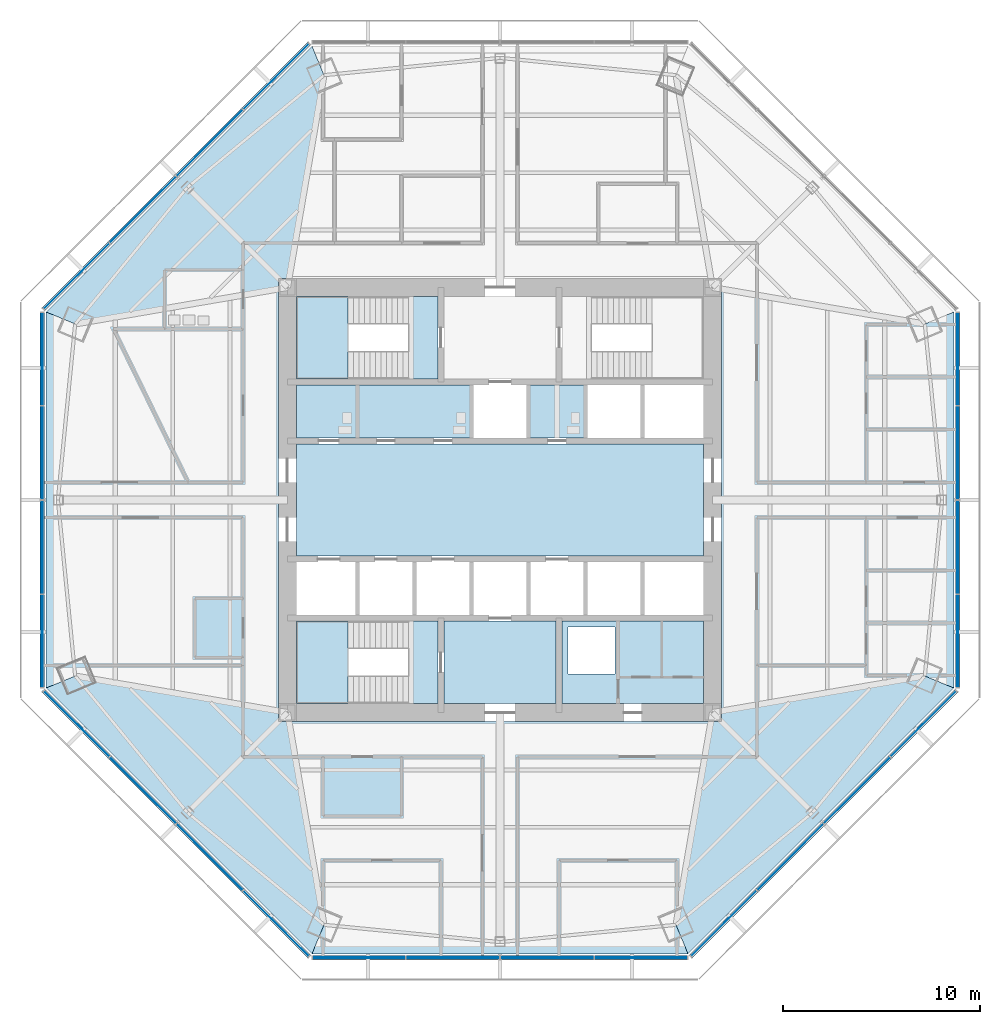
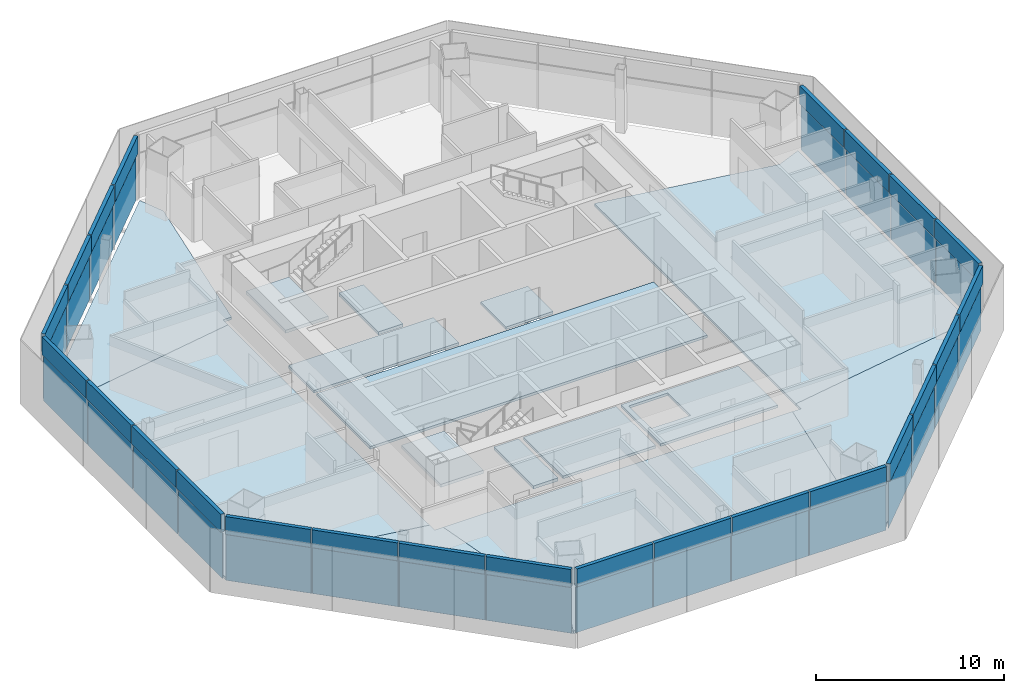
# One storey, part 7 of 15: 48 plates, 15 slabs, 8 elements without a shape of their own.
"""IFC4 building model written with IfcOpenShell, lengths in metres."""

from ifc_helpers import new_model, si_unit, direction, frame, origin, origin_2d, place, context, subcontext, project, spatial, polyline, rectangle, outline, extrude, source, transform, mapped, material, layer, layer_set, type_object, type_shapes, element, aggregate, save


model = new_model("IFC4")

# Units and contexts
model_context = context("Model", 3, precision=1e-05, world=origin(), true_north=direction((0.0, 1.0)))
body_context = subcontext(model_context, "Body", "Model", "MODEL_VIEW")
ifc_project = project(units=[si_unit("LENGTHUNIT", "METRE"), si_unit("AREAUNIT", "SQUARE_METRE"), si_unit("VOLUMEUNIT", "CUBIC_METRE"), si_unit("PLANEANGLEUNIT", "RADIAN"), si_unit("MASSUNIT", "GRAM", prefix="KILO")], contexts=[model_context])

# Site, building, storey
site_placement = place(None, origin())
site = spatial("IfcSite", under=ifc_project, at=site_placement, CompositionType="ELEMENT")
building_placement = place(site_placement, origin())
building = spatial("IfcBuilding", under=site, at=building_placement, Name="Mashrafa Tower", CompositionType="ELEMENT")
storey_placement = place(building_placement, frame((0.0, 0.0, 168.0)))
storey = spatial("IfcBuildingStorey", under=building, at=storey_placement, Name="L38", CompositionType="ELEMENT", Elevation=168.0)

# Slabs
ifc_material_1 = material(Name="Concrete C35/45", Category="concrete")
ifc_layer_1 = layer(ifc_material_1, 0.1650390625)
ifc_layer_set_1 = layer_set([ifc_layer_1], Name="Floor slab 165")
slab_type_1 = type_object("IfcSlabType", Name="Floor slab 165", PredefinedType="FLOOR", material=ifc_layer_set_1)
slab_1_placement = place(storey_placement, frame((0.0, 0.0, -0.1650390625)))
element("IfcSlab", 1, at=slab_1_placement, inside=storey, type_object=slab_type_1, Name="Floor slab L38 east bay", PredefinedType="FLOOR", context=body_context, shape_type="SweptSolid", body=[
    extrude(outline(polyline([(23.062255859375, -9.552734375), (21.588623046875, -8.9423828125), (11.25, -10.722412109375), (11.25, 10.722412109375), (21.588623046875, 8.9423828125), (23.062255859375, 9.552734375), (23.062255859375, -9.552734375)])), origin(), (0.0, 0.0, 1.0), 0.1650390625),
])
slab_2_placement = place(storey_placement, frame((0.0, 0.0, -0.1650390625)))
element("IfcSlab", 2, at=slab_2_placement, inside=storey, type_object=slab_type_1, Name="Floor slab L38 north-west bay", PredefinedType="FLOOR", context=body_context, shape_type="SweptSolid", body=[
    extrude(outline(polyline([(-23.062255859375, 9.552734375), (-9.552734375, 23.062255859375), (-9.552734375, 23.062255859375), (-8.9423828125, 21.588623046875), (-10.722412109375, 11.25), (-11.25, 11.25), (-11.25, 10.722412109375), (-21.588623046875, 8.9423828125), (-23.062255859375, 9.552734375), (-23.062255859375, 9.552734375)])), origin(), (0.0, 0.0, 1.0), 0.1650390625),
])
slab_3_placement = place(storey_placement, frame((0.0, 0.0, -0.1650390625)))
element("IfcSlab", 3, at=slab_3_placement, inside=storey, type_object=slab_type_1, Name="Floor slab L38 west bay", PredefinedType="FLOOR", context=body_context, shape_type="SweptSolid", body=[
    extrude(outline(polyline([(-23.062255859375, 9.552734375), (-21.588623046875, 8.9423828125), (-11.25, 10.722412109375), (-11.25, -10.722412109375), (-21.588623046875, -8.9423828125), (-23.062255859375, -9.552734375), (-23.062255859375, 9.552734375)])), origin(), (0.0, 0.0, 1.0), 0.1650390625),
])
slab_4_placement = place(storey_placement, frame((0.0, 0.0, -0.1650390625)))
element("IfcSlab", 4, at=slab_4_placement, inside=storey, type_object=slab_type_1, Name="Floor slab L38 south-west bay", PredefinedType="FLOOR", context=body_context, shape_type="SweptSolid", body=[
    extrude(outline(polyline([(-9.552734375, -23.062255859375), (-23.062255859375, -9.552734375), (-23.062255859375, -9.552734375), (-21.588623046875, -8.9423828125), (-11.25, -10.722412109375), (-11.25, -11.25), (-10.722412109375, -11.25), (-8.9423828125, -21.588623046875), (-9.552734375, -23.062255859375), (-9.552734375, -23.062255859375)])), origin(), (0.0, 0.0, 1.0), 0.1650390625),
])
slab_5_placement = place(storey_placement, frame((0.0, 0.0, -0.1650390625)))
element("IfcSlab", 5, at=slab_5_placement, inside=storey, type_object=slab_type_1, Name="Floor slab L38 south bay", PredefinedType="FLOOR", context=body_context, shape_type="SweptSolid", body=[
    extrude(outline(polyline([(-9.552734375, -23.062255859375), (-8.9423828125, -21.588623046875), (-10.722412109375, -11.25), (10.722412109375, -11.25), (8.9423828125, -21.588623046875), (9.552734375, -23.062255859375), (-9.552734375, -23.062255859375)])), origin(), (0.0, 0.0, 1.0), 0.1650390625),
])
slab_6_placement = place(storey_placement, frame((0.0, 0.0, -0.1650390625)))
element("IfcSlab", 6, at=slab_6_placement, inside=storey, type_object=slab_type_1, Name="Floor slab L38 south-east bay", PredefinedType="FLOOR", context=body_context, shape_type="SweptSolid", body=[
    extrude(outline(polyline([(9.552734375, -23.062255859375), (8.9423828125, -21.588623046875), (10.722412109375, -11.25), (11.25, -11.25), (11.25, -10.722412109375), (21.588623046875, -8.9423828125), (23.062255859375, -9.552734375), (23.062255859375, -9.552734375), (9.552734375, -23.062255859375), (9.552734375, -23.062255859375)])), origin(), (0.0, 0.0, 1.0), 0.1650390625),
])
slab_7_placement = place(storey_placement, frame((0.0, 0.0, -0.1650390625)))
element("IfcSlab", 7, at=slab_7_placement, inside=storey, type_object=slab_type_1, Name="Core floor lift hall L38", PredefinedType="FLOOR", context=body_context, shape_type="SweptSolid", body=[
    extrude(outline(polyline([(-10.35009765625, 2.85009765625), (10.35009765625, 2.85009765625), (10.35009765625, -2.85009765625), (-10.35009765625, -2.85009765625), (-10.35009765625, 2.85009765625)])), origin(), (0.0, 0.0, 1.0), 0.1650390625),
])
slab_8_placement = place(storey_placement, frame((0.0, 0.0, -0.1650390625)))
element("IfcSlab", 8, at=slab_8_placement, inside=storey, type_object=slab_type_1, Name="Core floor riser and electrical band L38", PredefinedType="FLOOR", context=body_context, shape_type="SweptSolid", body=[
    extrude(outline(polyline([(10.35009765625, -6.14990234375), (10.35009765625, -10.35009765625), (3.14990234375, -10.35009765625), (3.14990234375, -6.14990234375), (10.35009765625, -6.14990234375)]), holes=[polyline([(3.449951171875, -8.85009765625), (5.85009765625, -8.85009765625), (5.85009765625, -6.449951171875), (3.449951171875, -6.449951171875), (3.449951171875, -8.85009765625)])]), origin(), (0.0, 0.0, 1.0), 0.1650390625),
])
slab_9_placement = place(storey_placement, frame((0.0, 0.0, -0.1650390625)))
element("IfcSlab", 9, at=slab_9_placement, inside=storey, type_object=slab_type_1, Name="Core floor lift cell L38", PredefinedType="FLOOR", context=body_context, shape_type="SweptSolid", body=[
    extrude(outline(polyline([(-1.449951171875, 3.14990234375), (-10.35009765625, 3.14990234375), (-10.35009765625, 5.85009765625), (-1.449951171875, 5.85009765625), (-1.449951171875, 3.14990234375)])), origin(), (0.0, 0.0, 1.0), 0.1650390625),
])
slab_10_placement = place(storey_placement, frame((0.0, 0.0, -0.1650390625)))
element("IfcSlab", 10, at=slab_10_placement, inside=storey, type_object=slab_type_1, Name="Core floor fire-fighting lobby south L38", PredefinedType="FLOOR", context=body_context, shape_type="SweptSolid", body=[
    extrude(outline(polyline([(2.85009765625, -6.14990234375), (2.85009765625, -10.35009765625), (-2.85009765625, -10.35009765625), (-2.85009765625, -6.14990234375), (2.85009765625, -6.14990234375)])), origin(), (0.0, 0.0, 1.0), 0.1650390625),
])
slab_11_placement = place(storey_placement, frame((0.0, 0.0, -0.1650390625)))
element("IfcSlab", 11, at=slab_11_placement, inside=storey, type_object=slab_type_1, Name="Core floor lift cell L38", PredefinedType="FLOOR", context=body_context, shape_type="SweptSolid", body=[
    extrude(outline(polyline([(4.35009765625, 5.85009765625), (4.35009765625, 3.14990234375), (1.449951171875, 3.14990234375), (1.449951171875, 5.85009765625), (4.35009765625, 5.85009765625)])), origin(), (0.0, 0.0, 1.0), 0.1650390625),
])

# Stair, slabs
ifc_material_2 = material(Name="Exit stair 1400")
stair_type = type_object("IfcStairType", Name="Exit stair 1400", PredefinedType="HALF_TURN_STAIR", material=ifc_material_2)
stair_1_placement = place(storey_placement, origin())
stair_1 = element("IfcStair", 12, at=stair_1_placement, inside=storey, type_object=stair_type, Name="Stair S1 L38", PredefinedType="HALF_TURN_STAIR")
ifc_material_3 = material(Name="Concrete C32/40", Category="concrete")
ifc_layer_2 = layer(ifc_material_3, 0.199951171875)
ifc_layer_set_2 = layer_set([ifc_layer_2], Name="Stair landing 200")
slab_type_2 = type_object("IfcSlabType", Name="Stair landing 200", PredefinedType="LANDING", material=ifc_layer_set_2)
slab_12_placement = place(storey_placement, frame((0.0, 0.0, -0.199951171875)))
slab_12 = element("IfcSlab", 13, at=slab_12_placement, type_object=slab_type_2, Name="S1 landing 1", PredefinedType="LANDING", context=body_context, shape_type="SweptSolid", body=[
    extrude(outline(polyline([(-4.659912109375, 6.14990234375), (-3.14990234375, 6.14990234375), (-3.14990234375, 10.35009765625), (-4.659912109375, 10.35009765625), (-4.659912109375, 6.14990234375)])), origin(), (0.0, 0.0, 1.0), 0.199951171875),
])
slab_13_placement = place(storey_placement, frame((0.0, 0.0, 1.89990234375)))
slab_13 = element("IfcSlab", 14, at=slab_13_placement, type_object=slab_type_2, Name="S1 landing 2", PredefinedType="LANDING", context=body_context, shape_type="SweptSolid", body=[
    extrude(outline(polyline([(-10.35009765625, 6.14990234375), (-7.719970703125, 6.14990234375), (-7.719970703125, 10.35009765625), (-10.35009765625, 10.35009765625), (-10.35009765625, 6.14990234375)])), origin(), (0.0, 0.0, 1.0), 0.2001953125),
])
aggregate(stair_1, [slab_12, slab_13])

stair_2_placement = place(storey_placement, origin())
stair_2 = element("IfcStair", 15, at=stair_2_placement, inside=storey, type_object=stair_type, Name="Stair S3 L38", PredefinedType="HALF_TURN_STAIR")
slab_14_placement = place(storey_placement, frame((0.0, 0.0, -0.199951171875)))
slab_14 = element("IfcSlab", 16, at=slab_14_placement, type_object=slab_type_2, Name="S3 landing 1", PredefinedType="LANDING", context=body_context, shape_type="SweptSolid", body=[
    extrude(outline(polyline([(-4.659912109375, -10.35009765625), (-3.14990234375, -10.35009765625), (-3.14990234375, -6.14990234375), (-4.659912109375, -6.14990234375), (-4.659912109375, -10.35009765625)])), origin(), (0.0, 0.0, 1.0), 0.199951171875),
])
slab_15_placement = place(storey_placement, frame((0.0, 0.0, 1.89990234375)))
slab_15 = element("IfcSlab", 17, at=slab_15_placement, type_object=slab_type_2, Name="S3 landing 2", PredefinedType="LANDING", context=body_context, shape_type="SweptSolid", body=[
    extrude(outline(polyline([(-10.35009765625, -10.35009765625), (-7.719970703125, -10.35009765625), (-7.719970703125, -6.14990234375), (-10.35009765625, -6.14990234375), (-10.35009765625, -10.35009765625)])), origin(), (0.0, 0.0, 1.0), 0.2001953125),
])
aggregate(stair_2, [slab_14, slab_15])

# Curtain wall, plates
ifc_material_4 = material(Name="Unitised aluminium curtain wall", Category="aluminium")
curtain_wall_type = type_object("IfcCurtainWallType", Name="Office curtain wall, zone 2 CW-B 225 deep", PredefinedType="NOTDEFINED", material=ifc_material_4)
curtain_wall_1_placement = place(storey_placement, origin())
curtain_wall_1 = element("IfcCurtainWall", 18, at=curtain_wall_1_placement, inside=storey, type_object=curtain_wall_type, Name="Office curtain wall, zone 2 L38 east", PredefinedType="NOTDEFINED")
ifc_material_5 = material(Name="Insulated double glazing, low-e, neutral", Category="glass")
ifc_layer_3 = layer(ifc_material_5, 0.028076171875)
ifc_layer_set_3 = layer_set([ifc_layer_3], Name="Vision panel CW-B 28")
plate_type_1 = type_object("IfcPlateType", Name="Vision panel CW-B 28", PredefinedType="CURTAIN_PANEL", material=ifc_layer_set_3)
shared_shape_1 = source(origin(), body_context, "Body", "SweptSolid", [
    extrude(rectangle(XDim=4.69189453125, YDim=0.028076171875, at=origin_2d()), origin(), (0.0, 0.0, 1.0), 2.9599609375),
])
plate_1_placement = place(storey_placement, frame((23.26220703125, -7.16796875, 0.0), z_axis=(0.0, 0.0, 1.0), x_axis=(0.0, 1.0, 0.0)))
plate_1 = element("IfcPlate", 19, at=plate_1_placement, type_object=plate_type_1, Name="CW-B vision panel 1", PredefinedType="CURTAIN_PANEL", context=body_context, shape_type="MappedRepresentation", body=[
    mapped(shared_shape_1, transform((0.0, 0.0, 0.0))),
])
plate_2_placement = place(storey_placement, frame((23.26220703125, 7.16796875, 0.0), z_axis=(0.0, 0.0, 1.0), x_axis=(0.0, 1.0, 0.0)))
plate_2 = element("IfcPlate", 20, at=plate_2_placement, type_object=plate_type_1, Name="CW-B vision panel 4", PredefinedType="CURTAIN_PANEL", context=body_context, shape_type="MappedRepresentation", body=[
    mapped(shared_shape_1, transform((0.0, 0.0, 0.0))),
])

curtain_wall_2_placement = place(storey_placement, origin())
curtain_wall_2 = element("IfcCurtainWall", 21, at=curtain_wall_2_placement, inside=storey, type_object=curtain_wall_type, Name="Office curtain wall, zone 2 L38 north-west", PredefinedType="NOTDEFINED")
plate_3_placement = place(storey_placement, frame((-11.38037109375, 21.517333984375, 0.0), z_axis=(0.0, 0.0, 1.0), x_axis=(-0.707106781187, -0.707106781187, 0.0)))
plate_3 = element("IfcPlate", 22, at=plate_3_placement, type_object=plate_type_1, Name="CW-B vision panel 1", PredefinedType="CURTAIN_PANEL", context=body_context, shape_type="MappedRepresentation", body=[
    mapped(shared_shape_1, transform((0.0, 0.0, 0.0))),
])
plate_4_placement = place(storey_placement, frame((-21.517333984375, 11.38037109375, 0.0), z_axis=(0.0, 0.0, 1.0), x_axis=(-0.707106781187, -0.707106781187, 0.0)))
plate_4 = element("IfcPlate", 23, at=plate_4_placement, type_object=plate_type_1, Name="CW-B vision panel 4", PredefinedType="CURTAIN_PANEL", context=body_context, shape_type="MappedRepresentation", body=[
    mapped(shared_shape_1, transform((0.0, 0.0, 0.0))),
])

curtain_wall_3_placement = place(storey_placement, origin())
curtain_wall_3 = element("IfcCurtainWall", 24, at=curtain_wall_3_placement, inside=storey, type_object=curtain_wall_type, Name="Office curtain wall, zone 2 L38 west", PredefinedType="NOTDEFINED")
plate_5_placement = place(storey_placement, frame((-23.26220703125, 7.16796875, 0.0), z_axis=(0.0, 0.0, 1.0), x_axis=(0.0, -1.0, 0.0)))
plate_5 = element("IfcPlate", 25, at=plate_5_placement, type_object=plate_type_1, Name="CW-B vision panel 1", PredefinedType="CURTAIN_PANEL", context=body_context, shape_type="MappedRepresentation", body=[
    mapped(shared_shape_1, transform((0.0, 0.0, 0.0))),
])
plate_6_placement = place(storey_placement, frame((-23.26220703125, -7.16796875, 0.0), z_axis=(0.0, 0.0, 1.0), x_axis=(0.0, -1.0, 0.0)))
plate_6 = element("IfcPlate", 26, at=plate_6_placement, type_object=plate_type_1, Name="CW-B vision panel 4", PredefinedType="CURTAIN_PANEL", context=body_context, shape_type="MappedRepresentation", body=[
    mapped(shared_shape_1, transform((0.0, 0.0, 0.0))),
])

curtain_wall_4_placement = place(storey_placement, origin())
curtain_wall_4 = element("IfcCurtainWall", 27, at=curtain_wall_4_placement, inside=storey, type_object=curtain_wall_type, Name="Office curtain wall, zone 2 L38 south-west", PredefinedType="NOTDEFINED")
plate_7_placement = place(storey_placement, frame((-21.517333984375, -11.38037109375, 0.0), z_axis=(0.0, 0.0, 1.0), x_axis=(0.707106781187, -0.707106781187, 0.0)))
plate_7 = element("IfcPlate", 28, at=plate_7_placement, type_object=plate_type_1, Name="CW-B vision panel 1", PredefinedType="CURTAIN_PANEL", context=body_context, shape_type="MappedRepresentation", body=[
    mapped(shared_shape_1, transform((0.0, 0.0, 0.0))),
])
plate_8_placement = place(storey_placement, frame((-11.38037109375, -21.517333984375, 0.0), z_axis=(0.0, 0.0, 1.0), x_axis=(0.707106781187, -0.707106781187, 0.0)))
plate_8 = element("IfcPlate", 29, at=plate_8_placement, type_object=plate_type_1, Name="CW-B vision panel 4", PredefinedType="CURTAIN_PANEL", context=body_context, shape_type="MappedRepresentation", body=[
    mapped(shared_shape_1, transform((0.0, 0.0, 0.0))),
])

curtain_wall_5_placement = place(storey_placement, origin())
curtain_wall_5 = element("IfcCurtainWall", 30, at=curtain_wall_5_placement, inside=storey, type_object=curtain_wall_type, Name="Office curtain wall, zone 2 L38 south", PredefinedType="NOTDEFINED")
plate_9_placement = place(storey_placement, frame((-7.16796875, -23.26220703125, 0.0), z_axis=(0.0, 0.0, 1.0), x_axis=(1.0, 0.0, 0.0)))
plate_9 = element("IfcPlate", 31, at=plate_9_placement, type_object=plate_type_1, Name="CW-B vision panel 1", PredefinedType="CURTAIN_PANEL", context=body_context, shape_type="MappedRepresentation", body=[
    mapped(shared_shape_1, transform((0.0, 0.0, 0.0))),
])
plate_10_placement = place(storey_placement, frame((7.16796875, -23.26220703125, 0.0), z_axis=(0.0, 0.0, 1.0), x_axis=(1.0, 0.0, 0.0)))
plate_10 = element("IfcPlate", 32, at=plate_10_placement, type_object=plate_type_1, Name="CW-B vision panel 4", PredefinedType="CURTAIN_PANEL", context=body_context, shape_type="MappedRepresentation", body=[
    mapped(shared_shape_1, transform((0.0, 0.0, 0.0))),
])

curtain_wall_6_placement = place(storey_placement, origin())
curtain_wall_6 = element("IfcCurtainWall", 33, at=curtain_wall_6_placement, inside=storey, type_object=curtain_wall_type, Name="Office curtain wall, zone 2 L38 south-east", PredefinedType="NOTDEFINED")
plate_11_placement = place(storey_placement, frame((11.38037109375, -21.517333984375, 0.0), z_axis=(0.0, 0.0, 1.0), x_axis=(0.707106781187, 0.707106781187, 0.0)))
plate_11 = element("IfcPlate", 34, at=plate_11_placement, type_object=plate_type_1, Name="CW-B vision panel 1", PredefinedType="CURTAIN_PANEL", context=body_context, shape_type="MappedRepresentation", body=[
    mapped(shared_shape_1, transform((0.0, 0.0, 0.0))),
])
plate_12_placement = place(storey_placement, frame((21.517333984375, -11.38037109375, 0.0), z_axis=(0.0, 0.0, 1.0), x_axis=(0.707106781187, 0.707106781187, 0.0)))
plate_12 = element("IfcPlate", 35, at=plate_12_placement, type_object=plate_type_1, Name="CW-B vision panel 4", PredefinedType="CURTAIN_PANEL", context=body_context, shape_type="MappedRepresentation", body=[
    mapped(shared_shape_1, transform((0.0, 0.0, 0.0))),
])

# Plate
ifc_material_6 = material(Name="Insulated aluminium spandrel panel", Category="aluminium")
ifc_layer_4 = layer(ifc_material_6, 0.219970703125)
ifc_layer_set_4 = layer_set([ifc_layer_4], Name="Spandrel panel CW-B 220")
plate_type_2 = type_object("IfcPlateType", Name="Spandrel panel CW-B 220", PredefinedType="CURTAIN_PANEL", material=ifc_layer_set_4)
shared_shape_2 = source(origin(), body_context, "Body", "SweptSolid", [
    extrude(rectangle(XDim=4.69189453125, YDim=0.219970703125, at=origin_2d()), origin(), (0.0, 0.0, 1.0), 1.159912109375),
])
plate_13_placement = place(storey_placement, frame((23.26220703125, -7.16796875, 3.0400390625), z_axis=(0.0, 0.0, 1.0), x_axis=(0.0, 1.0, 0.0)))
plate_13 = element("IfcPlate", 36, at=plate_13_placement, type_object=plate_type_2, Name="CW-B spandrel panel 1", PredefinedType="CURTAIN_PANEL", context=body_context, shape_type="MappedRepresentation", body=[
    mapped(shared_shape_2, transform((0.0, 0.0, 0.0))),
])

plate_14_placement = place(storey_placement, frame((23.26220703125, 7.16796875, 3.0400390625), z_axis=(0.0, 0.0, 1.0), x_axis=(0.0, 1.0, 0.0)))
plate_14 = element("IfcPlate", 37, at=plate_14_placement, type_object=plate_type_2, Name="CW-B spandrel panel 4", PredefinedType="CURTAIN_PANEL", context=body_context, shape_type="MappedRepresentation", body=[
    mapped(shared_shape_2, transform((0.0, 0.0, 0.0))),
])

plate_15_placement = place(storey_placement, frame((-11.38037109375, 21.517333984375, 3.0400390625), z_axis=(0.0, 0.0, 1.0), x_axis=(-0.707106781187, -0.707106781187, 0.0)))
plate_15 = element("IfcPlate", 38, at=plate_15_placement, type_object=plate_type_2, Name="CW-B spandrel panel 1", PredefinedType="CURTAIN_PANEL", context=body_context, shape_type="MappedRepresentation", body=[
    mapped(shared_shape_2, transform((0.0, 0.0, 0.0))),
])

plate_16_placement = place(storey_placement, frame((-21.517333984375, 11.38037109375, 3.0400390625), z_axis=(0.0, 0.0, 1.0), x_axis=(-0.707106781187, -0.707106781187, 0.0)))
plate_16 = element("IfcPlate", 39, at=plate_16_placement, type_object=plate_type_2, Name="CW-B spandrel panel 4", PredefinedType="CURTAIN_PANEL", context=body_context, shape_type="MappedRepresentation", body=[
    mapped(shared_shape_2, transform((0.0, 0.0, 0.0))),
])

plate_17_placement = place(storey_placement, frame((-23.26220703125, 7.16796875, 3.0400390625), z_axis=(0.0, 0.0, 1.0), x_axis=(0.0, -1.0, 0.0)))
plate_17 = element("IfcPlate", 40, at=plate_17_placement, type_object=plate_type_2, Name="CW-B spandrel panel 1", PredefinedType="CURTAIN_PANEL", context=body_context, shape_type="MappedRepresentation", body=[
    mapped(shared_shape_2, transform((0.0, 0.0, 0.0))),
])

plate_18_placement = place(storey_placement, frame((-23.26220703125, -7.16796875, 3.0400390625), z_axis=(0.0, 0.0, 1.0), x_axis=(0.0, -1.0, 0.0)))
plate_18 = element("IfcPlate", 41, at=plate_18_placement, type_object=plate_type_2, Name="CW-B spandrel panel 4", PredefinedType="CURTAIN_PANEL", context=body_context, shape_type="MappedRepresentation", body=[
    mapped(shared_shape_2, transform((0.0, 0.0, 0.0))),
])

plate_19_placement = place(storey_placement, frame((-21.517333984375, -11.38037109375, 3.0400390625), z_axis=(0.0, 0.0, 1.0), x_axis=(0.707106781187, -0.707106781187, 0.0)))
plate_19 = element("IfcPlate", 42, at=plate_19_placement, type_object=plate_type_2, Name="CW-B spandrel panel 1", PredefinedType="CURTAIN_PANEL", context=body_context, shape_type="MappedRepresentation", body=[
    mapped(shared_shape_2, transform((0.0, 0.0, 0.0))),
])

plate_20_placement = place(storey_placement, frame((-11.38037109375, -21.517333984375, 3.0400390625), z_axis=(0.0, 0.0, 1.0), x_axis=(0.707106781187, -0.707106781187, 0.0)))
plate_20 = element("IfcPlate", 43, at=plate_20_placement, type_object=plate_type_2, Name="CW-B spandrel panel 4", PredefinedType="CURTAIN_PANEL", context=body_context, shape_type="MappedRepresentation", body=[
    mapped(shared_shape_2, transform((0.0, 0.0, 0.0))),
])

plate_21_placement = place(storey_placement, frame((-7.16796875, -23.26220703125, 3.0400390625), z_axis=(0.0, 0.0, 1.0), x_axis=(1.0, 0.0, 0.0)))
plate_21 = element("IfcPlate", 44, at=plate_21_placement, type_object=plate_type_2, Name="CW-B spandrel panel 1", PredefinedType="CURTAIN_PANEL", context=body_context, shape_type="MappedRepresentation", body=[
    mapped(shared_shape_2, transform((0.0, 0.0, 0.0))),
])

plate_22_placement = place(storey_placement, frame((7.16796875, -23.26220703125, 3.0400390625), z_axis=(0.0, 0.0, 1.0), x_axis=(1.0, 0.0, 0.0)))
plate_22 = element("IfcPlate", 45, at=plate_22_placement, type_object=plate_type_2, Name="CW-B spandrel panel 4", PredefinedType="CURTAIN_PANEL", context=body_context, shape_type="MappedRepresentation", body=[
    mapped(shared_shape_2, transform((0.0, 0.0, 0.0))),
])

plate_23_placement = place(storey_placement, frame((11.38037109375, -21.517333984375, 3.0400390625), z_axis=(0.0, 0.0, 1.0), x_axis=(0.707106781187, 0.707106781187, 0.0)))
plate_23 = element("IfcPlate", 46, at=plate_23_placement, type_object=plate_type_2, Name="CW-B spandrel panel 1", PredefinedType="CURTAIN_PANEL", context=body_context, shape_type="MappedRepresentation", body=[
    mapped(shared_shape_2, transform((0.0, 0.0, 0.0))),
])

plate_24_placement = place(storey_placement, frame((21.517333984375, -11.38037109375, 3.0400390625), z_axis=(0.0, 0.0, 1.0), x_axis=(0.707106781187, 0.707106781187, 0.0)))
plate_24 = element("IfcPlate", 47, at=plate_24_placement, type_object=plate_type_2, Name="CW-B spandrel panel 4", PredefinedType="CURTAIN_PANEL", context=body_context, shape_type="MappedRepresentation", body=[
    mapped(shared_shape_2, transform((0.0, 0.0, 0.0))),
])

shared_shape_3 = source(origin(), body_context, "Body", "SweptSolid", [
    extrude(rectangle(XDim=4.724365234375, YDim=0.028076171875, at=origin_2d()), origin(), (0.0, 0.0, 1.0), 2.9599609375),
])
type_shapes(plate_type_1, [shared_shape_1, shared_shape_3])
plate_25_placement = place(storey_placement, frame((23.26220703125, -2.394775390625, 0.0), z_axis=(0.0, 0.0, 1.0), x_axis=(0.0, 1.0, 0.0)))
plate_25 = element("IfcPlate", 48, at=plate_25_placement, type_object=plate_type_1, Name="CW-B vision panel 2", PredefinedType="CURTAIN_PANEL", context=body_context, shape_type="MappedRepresentation", body=[
    mapped(shared_shape_3, transform((0.0, 0.0, 0.0))),
])

plate_26_placement = place(storey_placement, frame((23.26220703125, 2.394775390625, 0.0), z_axis=(0.0, 0.0, 1.0), x_axis=(0.0, 1.0, 0.0)))
plate_26 = element("IfcPlate", 49, at=plate_26_placement, type_object=plate_type_1, Name="CW-B vision panel 3", PredefinedType="CURTAIN_PANEL", context=body_context, shape_type="MappedRepresentation", body=[
    mapped(shared_shape_3, transform((0.0, 0.0, 0.0))),
])

plate_27_placement = place(storey_placement, frame((-14.755615234375, 18.142333984375, 0.0), z_axis=(0.0, 0.0, 1.0), x_axis=(-0.707106781187, -0.707106781187, 0.0)))
plate_27 = element("IfcPlate", 50, at=plate_27_placement, type_object=plate_type_1, Name="CW-B vision panel 2", PredefinedType="CURTAIN_PANEL", context=body_context, shape_type="MappedRepresentation", body=[
    mapped(shared_shape_3, transform((0.0, 0.0, 0.0))),
])

plate_28_placement = place(storey_placement, frame((-18.142333984375, 14.755615234375, 0.0), z_axis=(0.0, 0.0, 1.0), x_axis=(-0.707106781187, -0.707106781187, 0.0)))
plate_28 = element("IfcPlate", 51, at=plate_28_placement, type_object=plate_type_1, Name="CW-B vision panel 3", PredefinedType="CURTAIN_PANEL", context=body_context, shape_type="MappedRepresentation", body=[
    mapped(shared_shape_3, transform((0.0, 0.0, 0.0))),
])

plate_29_placement = place(storey_placement, frame((-23.26220703125, 2.394775390625, 0.0), z_axis=(0.0, 0.0, 1.0), x_axis=(0.0, -1.0, 0.0)))
plate_29 = element("IfcPlate", 52, at=plate_29_placement, type_object=plate_type_1, Name="CW-B vision panel 2", PredefinedType="CURTAIN_PANEL", context=body_context, shape_type="MappedRepresentation", body=[
    mapped(shared_shape_3, transform((0.0, 0.0, 0.0))),
])

plate_30_placement = place(storey_placement, frame((-23.26220703125, -2.394775390625, 0.0), z_axis=(0.0, 0.0, 1.0), x_axis=(0.0, -1.0, 0.0)))
plate_30 = element("IfcPlate", 53, at=plate_30_placement, type_object=plate_type_1, Name="CW-B vision panel 3", PredefinedType="CURTAIN_PANEL", context=body_context, shape_type="MappedRepresentation", body=[
    mapped(shared_shape_3, transform((0.0, 0.0, 0.0))),
])

plate_31_placement = place(storey_placement, frame((-18.142333984375, -14.755615234375, 0.0), z_axis=(0.0, 0.0, 1.0), x_axis=(0.707106781187, -0.707106781187, 0.0)))
plate_31 = element("IfcPlate", 54, at=plate_31_placement, type_object=plate_type_1, Name="CW-B vision panel 2", PredefinedType="CURTAIN_PANEL", context=body_context, shape_type="MappedRepresentation", body=[
    mapped(shared_shape_3, transform((0.0, 0.0, 0.0))),
])

plate_32_placement = place(storey_placement, frame((-14.755615234375, -18.142333984375, 0.0), z_axis=(0.0, 0.0, 1.0), x_axis=(0.707106781187, -0.707106781187, 0.0)))
plate_32 = element("IfcPlate", 55, at=plate_32_placement, type_object=plate_type_1, Name="CW-B vision panel 3", PredefinedType="CURTAIN_PANEL", context=body_context, shape_type="MappedRepresentation", body=[
    mapped(shared_shape_3, transform((0.0, 0.0, 0.0))),
])

plate_33_placement = place(storey_placement, frame((-2.394775390625, -23.26220703125, 0.0), z_axis=(0.0, 0.0, 1.0), x_axis=(1.0, 0.0, 0.0)))
plate_33 = element("IfcPlate", 56, at=plate_33_placement, type_object=plate_type_1, Name="CW-B vision panel 2", PredefinedType="CURTAIN_PANEL", context=body_context, shape_type="MappedRepresentation", body=[
    mapped(shared_shape_3, transform((0.0, 0.0, 0.0))),
])

plate_34_placement = place(storey_placement, frame((2.394775390625, -23.26220703125, 0.0), z_axis=(0.0, 0.0, 1.0), x_axis=(1.0, 0.0, 0.0)))
plate_34 = element("IfcPlate", 57, at=plate_34_placement, type_object=plate_type_1, Name="CW-B vision panel 3", PredefinedType="CURTAIN_PANEL", context=body_context, shape_type="MappedRepresentation", body=[
    mapped(shared_shape_3, transform((0.0, 0.0, 0.0))),
])

plate_35_placement = place(storey_placement, frame((14.755615234375, -18.142333984375, 0.0), z_axis=(0.0, 0.0, 1.0), x_axis=(0.707106781187, 0.707106781187, 0.0)))
plate_35 = element("IfcPlate", 58, at=plate_35_placement, type_object=plate_type_1, Name="CW-B vision panel 2", PredefinedType="CURTAIN_PANEL", context=body_context, shape_type="MappedRepresentation", body=[
    mapped(shared_shape_3, transform((0.0, 0.0, 0.0))),
])

plate_36_placement = place(storey_placement, frame((18.142333984375, -14.755615234375, 0.0), z_axis=(0.0, 0.0, 1.0), x_axis=(0.707106781187, 0.707106781187, 0.0)))
plate_36 = element("IfcPlate", 59, at=plate_36_placement, type_object=plate_type_1, Name="CW-B vision panel 3", PredefinedType="CURTAIN_PANEL", context=body_context, shape_type="MappedRepresentation", body=[
    mapped(shared_shape_3, transform((0.0, 0.0, 0.0))),
])

shared_shape_4 = source(origin(), body_context, "Body", "SweptSolid", [
    extrude(rectangle(XDim=4.724365234375, YDim=0.219970703125, at=origin_2d()), origin(), (0.0, 0.0, 1.0), 1.159912109375),
])
type_shapes(plate_type_2, [shared_shape_2, shared_shape_4])
plate_37_placement = place(storey_placement, frame((23.26220703125, -2.394775390625, 3.0400390625), z_axis=(0.0, 0.0, 1.0), x_axis=(0.0, 1.0, 0.0)))
plate_37 = element("IfcPlate", 60, at=plate_37_placement, type_object=plate_type_2, Name="CW-B spandrel panel 2", PredefinedType="CURTAIN_PANEL", context=body_context, shape_type="MappedRepresentation", body=[
    mapped(shared_shape_4, transform((0.0, 0.0, 0.0))),
])

plate_38_placement = place(storey_placement, frame((23.26220703125, 2.394775390625, 3.0400390625), z_axis=(0.0, 0.0, 1.0), x_axis=(0.0, 1.0, 0.0)))
plate_38 = element("IfcPlate", 61, at=plate_38_placement, type_object=plate_type_2, Name="CW-B spandrel panel 3", PredefinedType="CURTAIN_PANEL", context=body_context, shape_type="MappedRepresentation", body=[
    mapped(shared_shape_4, transform((0.0, 0.0, 0.0))),
])

aggregate(curtain_wall_1, [plate_1, plate_13, plate_25, plate_37, plate_26, plate_38, plate_2, plate_14])

plate_39_placement = place(storey_placement, frame((-14.755615234375, 18.142333984375, 3.0400390625), z_axis=(0.0, 0.0, 1.0), x_axis=(-0.707106781187, -0.707106781187, 0.0)))
plate_39 = element("IfcPlate", 62, at=plate_39_placement, type_object=plate_type_2, Name="CW-B spandrel panel 2", PredefinedType="CURTAIN_PANEL", context=body_context, shape_type="MappedRepresentation", body=[
    mapped(shared_shape_4, transform((0.0, 0.0, 0.0))),
])

plate_40_placement = place(storey_placement, frame((-18.142333984375, 14.755615234375, 3.0400390625), z_axis=(0.0, 0.0, 1.0), x_axis=(-0.707106781187, -0.707106781187, 0.0)))
plate_40 = element("IfcPlate", 63, at=plate_40_placement, type_object=plate_type_2, Name="CW-B spandrel panel 3", PredefinedType="CURTAIN_PANEL", context=body_context, shape_type="MappedRepresentation", body=[
    mapped(shared_shape_4, transform((0.0, 0.0, 0.0))),
])

aggregate(curtain_wall_2, [plate_3, plate_15, plate_27, plate_39, plate_28, plate_40, plate_4, plate_16])

plate_41_placement = place(storey_placement, frame((-23.26220703125, 2.394775390625, 3.0400390625), z_axis=(0.0, 0.0, 1.0), x_axis=(0.0, -1.0, 0.0)))
plate_41 = element("IfcPlate", 64, at=plate_41_placement, type_object=plate_type_2, Name="CW-B spandrel panel 2", PredefinedType="CURTAIN_PANEL", context=body_context, shape_type="MappedRepresentation", body=[
    mapped(shared_shape_4, transform((0.0, 0.0, 0.0))),
])

plate_42_placement = place(storey_placement, frame((-23.26220703125, -2.394775390625, 3.0400390625), z_axis=(0.0, 0.0, 1.0), x_axis=(0.0, -1.0, 0.0)))
plate_42 = element("IfcPlate", 65, at=plate_42_placement, type_object=plate_type_2, Name="CW-B spandrel panel 3", PredefinedType="CURTAIN_PANEL", context=body_context, shape_type="MappedRepresentation", body=[
    mapped(shared_shape_4, transform((0.0, 0.0, 0.0))),
])

aggregate(curtain_wall_3, [plate_5, plate_17, plate_29, plate_41, plate_30, plate_42, plate_6, plate_18])

plate_43_placement = place(storey_placement, frame((-18.142333984375, -14.755615234375, 3.0400390625), z_axis=(0.0, 0.0, 1.0), x_axis=(0.707106781187, -0.707106781187, 0.0)))
plate_43 = element("IfcPlate", 66, at=plate_43_placement, type_object=plate_type_2, Name="CW-B spandrel panel 2", PredefinedType="CURTAIN_PANEL", context=body_context, shape_type="MappedRepresentation", body=[
    mapped(shared_shape_4, transform((0.0, 0.0, 0.0))),
])

plate_44_placement = place(storey_placement, frame((-14.755615234375, -18.142333984375, 3.0400390625), z_axis=(0.0, 0.0, 1.0), x_axis=(0.707106781187, -0.707106781187, 0.0)))
plate_44 = element("IfcPlate", 67, at=plate_44_placement, type_object=plate_type_2, Name="CW-B spandrel panel 3", PredefinedType="CURTAIN_PANEL", context=body_context, shape_type="MappedRepresentation", body=[
    mapped(shared_shape_4, transform((0.0, 0.0, 0.0))),
])

aggregate(curtain_wall_4, [plate_7, plate_19, plate_31, plate_43, plate_32, plate_44, plate_8, plate_20])

plate_45_placement = place(storey_placement, frame((-2.394775390625, -23.26220703125, 3.0400390625), z_axis=(0.0, 0.0, 1.0), x_axis=(1.0, 0.0, 0.0)))
plate_45 = element("IfcPlate", 68, at=plate_45_placement, type_object=plate_type_2, Name="CW-B spandrel panel 2", PredefinedType="CURTAIN_PANEL", context=body_context, shape_type="MappedRepresentation", body=[
    mapped(shared_shape_4, transform((0.0, 0.0, 0.0))),
])

plate_46_placement = place(storey_placement, frame((2.394775390625, -23.26220703125, 3.0400390625), z_axis=(0.0, 0.0, 1.0), x_axis=(1.0, 0.0, 0.0)))
plate_46 = element("IfcPlate", 69, at=plate_46_placement, type_object=plate_type_2, Name="CW-B spandrel panel 3", PredefinedType="CURTAIN_PANEL", context=body_context, shape_type="MappedRepresentation", body=[
    mapped(shared_shape_4, transform((0.0, 0.0, 0.0))),
])

aggregate(curtain_wall_5, [plate_9, plate_21, plate_33, plate_45, plate_34, plate_46, plate_10, plate_22])

plate_47_placement = place(storey_placement, frame((14.755615234375, -18.142333984375, 3.0400390625), z_axis=(0.0, 0.0, 1.0), x_axis=(0.707106781187, 0.707106781187, 0.0)))
plate_47 = element("IfcPlate", 70, at=plate_47_placement, type_object=plate_type_2, Name="CW-B spandrel panel 2", PredefinedType="CURTAIN_PANEL", context=body_context, shape_type="MappedRepresentation", body=[
    mapped(shared_shape_4, transform((0.0, 0.0, 0.0))),
])

plate_48_placement = place(storey_placement, frame((18.142333984375, -14.755615234375, 3.0400390625), z_axis=(0.0, 0.0, 1.0), x_axis=(0.707106781187, 0.707106781187, 0.0)))
plate_48 = element("IfcPlate", 71, at=plate_48_placement, type_object=plate_type_2, Name="CW-B spandrel panel 3", PredefinedType="CURTAIN_PANEL", context=body_context, shape_type="MappedRepresentation", body=[
    mapped(shared_shape_4, transform((0.0, 0.0, 0.0))),
])

aggregate(curtain_wall_6, [plate_11, plate_23, plate_35, plate_47, plate_36, plate_48, plate_12, plate_24])

save(model, "model.ifc")
